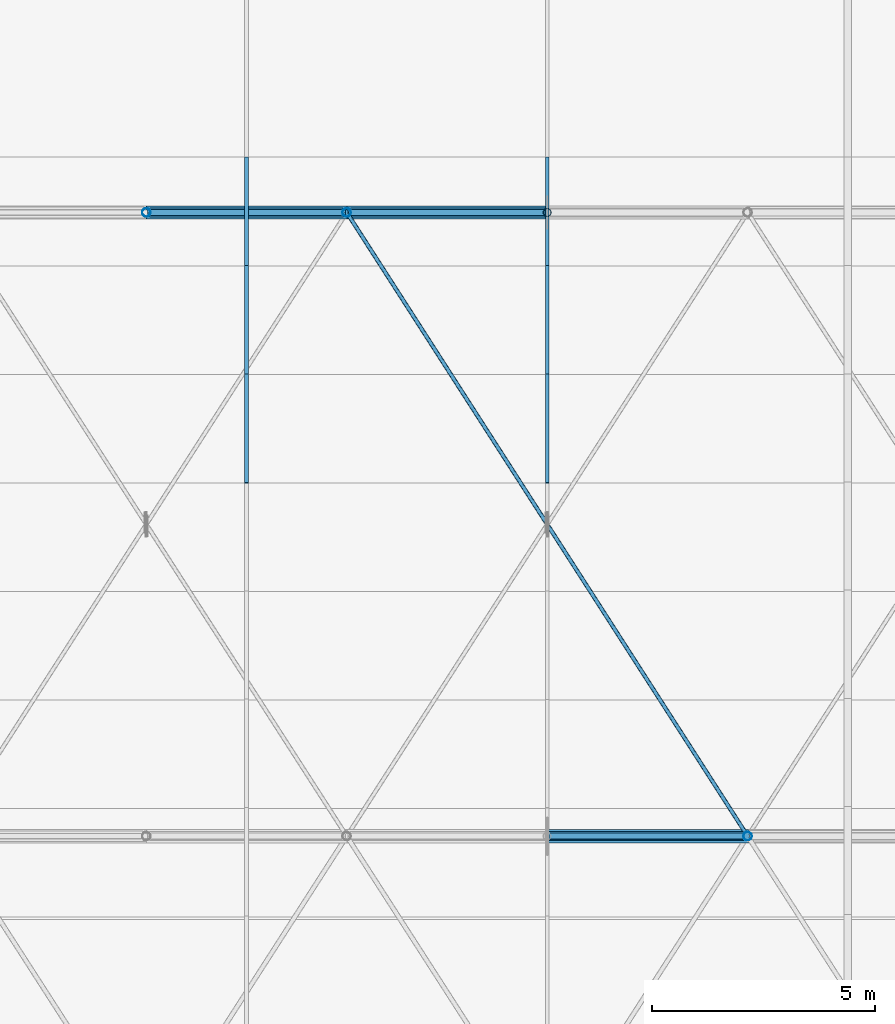
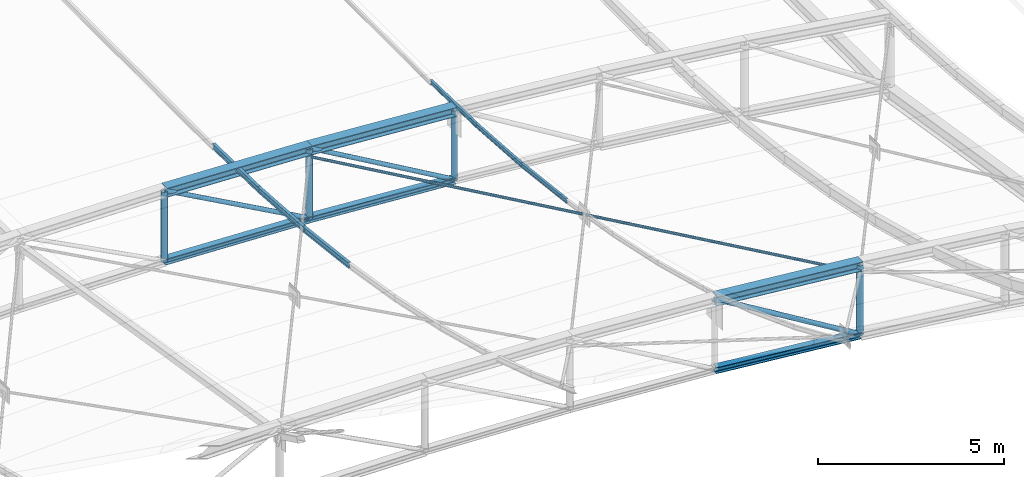
# One storey, part 156 of 262: 21 members.
"""IFC4 building model written with IfcOpenShell, lengths in metres."""

from ifc_helpers import new_model, si_unit, derived_unit, direction, frame, origin, origin_2d, place, context, subcontext, project, spatial, hollow_circle, i_section, extrude, material, material_profile, profile_set, type_object, element, save


model = new_model("IFC4")

# Units and contexts
model_context = context("Model", 3, precision=1e-05, world=origin(), true_north=direction((0.0, 1.0)))
body_context = subcontext(model_context, "Body", "Model", "MODEL_VIEW")
ifc_project = project(units=[si_unit("LENGTHUNIT", "METRE"), si_unit("AREAUNIT", "SQUARE_METRE"), si_unit("VOLUMEUNIT", "CUBIC_METRE"), si_unit("PLANEANGLEUNIT", "RADIAN"), si_unit("MASSUNIT", "GRAM", prefix="KILO"), derived_unit("THERMALTRANSMITTANCEUNIT", [(si_unit("POWERUNIT", "WATT"), 1), (si_unit("LENGTHUNIT", "METRE"), -2), (si_unit("THERMODYNAMICTEMPERATUREUNIT", "KELVIN"), -1)])], contexts=[model_context])

# Site, building, storey
site_placement = place(None, origin())
site = spatial("IfcSite", under=ifc_project, at=site_placement, CompositionType="ELEMENT")
building_placement = place(site_placement, origin())
building = spatial("IfcBuilding", under=site, at=building_placement, Name="Almenara Railside Exhibition Hall", CompositionType="ELEMENT")
storey_placement = place(building_placement, frame((0.0, 0.0, 21.699951171875)))
storey = spatial("IfcBuildingStorey", under=building, at=storey_placement, Name="RF", CompositionType="ELEMENT", Elevation=21.699951171875)

# Members
ifc_material = material(Name="Structural steel S355JR", Category="steel")
ifc_material_profile_1 = material_profile(ifc_material, i_section(OverallWidth=0.300048828125, OverallDepth=0.300048828125, WebThickness=0.010986328125, FlangeThickness=0.01904296875, FilletRadius=0.027099609375, at=origin_2d()), Name="HEB 300")
ifc_profile_set_1 = profile_set([ifc_material_profile_1], Name="Structural steel S355JR")
member_type_1 = type_object("IfcMemberType", Name="Arched Inner Top Chord HEB 300 S355JR", PredefinedType="CHORD", material=ifc_profile_set_1)
member_1_placement = place(storey_placement, frame((178.5, 48.0, -3.366455078125), z_axis=(0.995512933083, 0.0, -0.094625578275), x_axis=(0.0, 1.0, 0.0)))
element("IfcMember", 1, at=member_1_placement, inside=storey, type_object=member_type_1, Name="MEM-TC-V2-01-09", PredefinedType="CHORD", context=body_context, shape_type="SweptSolid", body=[
    extrude(i_section(OverallWidth=0.300048828125, OverallDepth=0.300048828125, WebThickness=0.010986328125, FlangeThickness=0.01904296875, FilletRadius=0.027099609375, at=origin_2d()), origin(), (0.0, 0.0, 1.0), 4.520263671875),
])
member_2_placement = place(storey_placement, frame((169.5, 62.0, -5.146240234375), z_axis=(0.99917098071, 0.0, -0.04071057978), x_axis=(0.0, 1.0, 0.0)))
element("IfcMember", 2, at=member_2_placement, inside=storey, type_object=member_type_1, Name="MEM-TC-V2-02-07", PredefinedType="CHORD", context=body_context, shape_type="SweptSolid", body=[
    extrude(i_section(OverallWidth=0.300048828125, OverallDepth=0.300048828125, WebThickness=0.010986328125, FlangeThickness=0.01904296875, FilletRadius=0.027099609375, at=origin_2d()), origin(), (0.0, 0.0, 1.0), 4.503662109375),
])
member_3_placement = place(storey_placement, frame((174.0, 62.0, -5.32958984375), z_axis=(0.997701025897, 0.0, -0.067769188608), x_axis=(0.0, 1.0, 0.0)))
element("IfcMember", 3, at=member_3_placement, inside=storey, type_object=member_type_1, Name="MEM-TC-V2-02-08", PredefinedType="CHORD", context=body_context, shape_type="SweptSolid", body=[
    extrude(i_section(OverallWidth=0.300048828125, OverallDepth=0.300048828125, WebThickness=0.010986328125, FlangeThickness=0.01904296875, FilletRadius=0.027099609375, at=origin_2d()), origin(), (0.0, 0.0, 1.0), 4.51025390625),
])
ifc_material_profile_2 = material_profile(ifc_material, i_section(OverallWidth=0.199951171875, OverallDepth=0.199951171875, WebThickness=0.009033203125, FlangeThickness=0.014892578125, FilletRadius=0.01806640625, at=origin_2d()), Name="HEB 200")
ifc_profile_set_2 = profile_set([ifc_material_profile_2], Name="Structural steel S355JR")
member_type_2 = type_object("IfcMemberType", Name="Canopy Collar Chord HEB 200 S355JR", PredefinedType="CHORD", material=ifc_profile_set_2)
member_4_placement = place(storey_placement, frame((178.5, 48.0, -5.66650390625), z_axis=(0.995512933083, 0.0, -0.094625578275), x_axis=(0.0, 1.0, 0.0)))
element("IfcMember", 4, at=member_4_placement, inside=storey, type_object=member_type_2, Name="MEM-BC-V2-01-09", PredefinedType="CHORD", context=body_context, shape_type="SweptSolid", body=[
    extrude(i_section(OverallWidth=0.199951171875, OverallDepth=0.199951171875, WebThickness=0.009033203125, FlangeThickness=0.014892578125, FilletRadius=0.01806640625, at=origin_2d()), origin(), (0.0, 0.0, 1.0), 4.520263671875),
])
member_5_placement = place(storey_placement, frame((169.5, 62.0, -7.4462890625), z_axis=(0.99917098071, 0.0, -0.04071057978), x_axis=(0.0, 1.0, 0.0)))
element("IfcMember", 5, at=member_5_placement, inside=storey, type_object=member_type_2, Name="MEM-BC-V2-02-07", PredefinedType="CHORD", context=body_context, shape_type="SweptSolid", body=[
    extrude(i_section(OverallWidth=0.199951171875, OverallDepth=0.199951171875, WebThickness=0.009033203125, FlangeThickness=0.014892578125, FilletRadius=0.01806640625, at=origin_2d()), origin(), (0.0, 0.0, 1.0), 4.503662109375),
])
member_6_placement = place(storey_placement, frame((174.0, 62.0, -7.629638671875), z_axis=(0.997704684283, 0.0, -0.067715308162), x_axis=(0.0, 1.0, 0.0)))
element("IfcMember", 6, at=member_6_placement, inside=storey, type_object=member_type_2, Name="MEM-BC-V2-02-08", PredefinedType="CHORD", context=body_context, shape_type="SweptSolid", body=[
    extrude(i_section(OverallWidth=0.199951171875, OverallDepth=0.199951171875, WebThickness=0.009033203125, FlangeThickness=0.014892578125, FilletRadius=0.01806640625, at=origin_2d()), origin(), (0.0, 0.0, 1.0), 4.51025390625),
])
ifc_material_profile_3 = material_profile(ifc_material, i_section(OverallWidth=0.072998046875, OverallDepth=0.139892578125, WebThickness=0.004638671875, FlangeThickness=0.0068359375, FilletRadius=0.007080078125, at=origin_2d()), Name="IPE 140")
ifc_profile_set_3 = profile_set([ifc_material_profile_3], Name="Structural steel S355JR")
member_type_3 = type_object("IfcMemberType", Name="Canopy Edge Purlin IPE 140 S355JR", PredefinedType="PURLIN", material=ifc_profile_set_3)
member_7_placement = place(storey_placement, frame((178.5, 55.930419921875, -4.966064453125), z_axis=(0.0, 0.993105700961, -0.117222296166), x_axis=(-1.0, 0.0, 0.0)))
element("IfcMember", 7, at=member_7_placement, inside=storey, type_object=member_type_3, Name="MEM-PR-V2-PR-IPE140-06-09", PredefinedType="PURLIN", context=body_context, shape_type="SweptSolid", body=[
    extrude(i_section(OverallWidth=0.072998046875, OverallDepth=0.139892578125, WebThickness=0.004638671875, FlangeThickness=0.0068359375, FilletRadius=0.007080078125, at=origin_2d()), origin(), (0.0, 0.0, 1.0), 2.453369140625),
])
member_8_placement = place(storey_placement, frame((178.5, 58.366943359375, -5.25244140625), z_axis=(0.0, 0.997521719737, -0.070359211571), x_axis=(-1.0, 0.0, 0.0)))
element("IfcMember", 8, at=member_8_placement, inside=storey, type_object=member_type_3, Name="MEM-PR-V2-PR-IPE140-06-10", PredefinedType="PURLIN", context=body_context, shape_type="SweptSolid", body=[
    extrude(i_section(OverallWidth=0.072998046875, OverallDepth=0.139892578125, WebThickness=0.004638671875, FlangeThickness=0.0068359375, FilletRadius=0.007080078125, at=origin_2d()), origin(), (0.0, 0.0, 1.0), 2.44287109375),
])
member_9_placement = place(storey_placement, frame((178.5, 60.8037109375, -5.423583984375), z_axis=(0.0, 0.999725289903, -0.023438104182), x_axis=(-1.0, 0.0, 0.0)))
element("IfcMember", 9, at=member_9_placement, inside=storey, type_object=member_type_3, Name="MEM-PR-V2-PR-IPE140-06-11", PredefinedType="PURLIN", context=body_context, shape_type="SweptSolid", body=[
    extrude(i_section(OverallWidth=0.072998046875, OverallDepth=0.139892578125, WebThickness=0.004638671875, FlangeThickness=0.0068359375, FilletRadius=0.007080078125, at=origin_2d()), origin(), (0.0, 0.0, 1.0), 2.4375),
])
ifc_material_profile_4 = material_profile(ifc_material, hollow_circle(Radius=0.04443359375, WallThickness=0.00390625, at=origin_2d()), Name="CHS 88.9x4")
ifc_profile_set_4 = profile_set([ifc_material_profile_4], Name="Structural steel S355JR")
member_type_4 = type_object("IfcMemberType", Name="Canopy Tie Brace CHS 88.9x4 S355JR", PredefinedType="BRACE", material=ifc_profile_set_4)
for number, where, z_axis, x_axis, name in (
    (10, (183.0, 48.0, -4.07421875), (-0.538465539227, 0.837626120667, -0.091855021862), (-0.841182310454, -0.54075162559, 0.0), "MEM-WB-V2-WB-CHS89-01-08-S1"),
    (11, (178.473876953125, 55.04052734375, -4.846435546875), (-0.538465539227, 0.837626120667, -0.091855021862), (-0.841182310454, -0.54075162559, 0.0), "MEM-WB-V2-WB-CHS89-01-08-S2"),
):
    element("IfcMember", number, at=place(storey_placement, frame(where, z_axis=z_axis, x_axis=x_axis)), inside=storey, type_object=member_type_4, Name=name, PredefinedType="BRACE", context=body_context, shape_type="SweptSolid", body=[
        extrude(hollow_circle(Radius=0.04443359375, WallThickness=0.00390625, at=origin_2d()), origin(), (0.0, 0.0, 1.0), 8.30859375),
    ])
ifc_material_profile_5 = material_profile(ifc_material, i_section(OverallWidth=0.091064453125, OverallDepth=0.179931640625, WebThickness=0.00537109375, FlangeThickness=0.008056640625, FilletRadius=0.009033203125, at=origin_2d()), Name="IPE 180")
ifc_profile_set_5 = profile_set([ifc_material_profile_5], Name="Structural steel S355JR")
member_type_5 = type_object("IfcMemberType", Name="Plenary Roof Purlin IPE 180 S355JR", PredefinedType="PURLIN", material=ifc_profile_set_5)
member_10_placement = place(storey_placement, frame((171.75, 55.930419921875, -4.7099609375), z_axis=(0.0, 0.993105700961, -0.117222296166), x_axis=(-1.0, 0.0, 0.0)))
element("IfcMember", 12, at=member_10_placement, inside=storey, type_object=member_type_5, Name="MEM-PR-V2-PR-IPE180-05-09", PredefinedType="PURLIN", context=body_context, shape_type="SweptSolid", body=[
    extrude(i_section(OverallWidth=0.091064453125, OverallDepth=0.179931640625, WebThickness=0.00537109375, FlangeThickness=0.008056640625, FilletRadius=0.009033203125, at=origin_2d()), origin(), (0.0, 0.0, 1.0), 2.453369140625),
])
member_11_placement = place(storey_placement, frame((171.75, 58.366943359375, -4.996337890625), z_axis=(0.0, 0.997528729247, -0.070259763216), x_axis=(-1.0, 0.0, 0.0)))
element("IfcMember", 13, at=member_11_placement, inside=storey, type_object=member_type_5, Name="MEM-PR-V2-PR-IPE180-05-10", PredefinedType="PURLIN", context=body_context, shape_type="SweptSolid", body=[
    extrude(i_section(OverallWidth=0.091064453125, OverallDepth=0.179931640625, WebThickness=0.00537109375, FlangeThickness=0.008056640625, FilletRadius=0.009033203125, at=origin_2d()), origin(), (0.0, 0.0, 1.0), 2.44287109375),
])
member_12_placement = place(storey_placement, frame((171.75, 60.8037109375, -5.16748046875), z_axis=(0.0, 0.999725289903, -0.023438104182), x_axis=(-1.0, 0.0, 0.0)))
element("IfcMember", 14, at=member_12_placement, inside=storey, type_object=member_type_5, Name="MEM-PR-V2-PR-IPE180-05-11", PredefinedType="PURLIN", context=body_context, shape_type="SweptSolid", body=[
    extrude(i_section(OverallWidth=0.091064453125, OverallDepth=0.179931640625, WebThickness=0.00537109375, FlangeThickness=0.008056640625, FilletRadius=0.009033203125, at=origin_2d()), origin(), (0.0, 0.0, 1.0), 2.4375),
])
ifc_material_profile_6 = material_profile(ifc_material, hollow_circle(Radius=0.06982421875, WallThickness=0.0048828125, at=origin_2d()), Name="CHS 139.7x5")
ifc_profile_set_6 = profile_set([ifc_material_profile_6], Name="Structural steel S355JR")
member_type_6 = type_object("IfcMemberType", Name="Truss Inner Diagonal CHS 139.7x5 S355JR", PredefinedType="BRACE", material=ifc_profile_set_6)
member_13_placement = place(storey_placement, frame((169.5, 62.0, -5.146240234375), z_axis=(0.875525025835, 0.0, -0.483172773589), x_axis=(0.0, 1.0, 0.0)))
element("IfcMember", 15, at=member_13_placement, inside=storey, type_object=member_type_6, Name="MEM-TD-V2-02-07", PredefinedType="BRACE", context=body_context, shape_type="SweptSolid", body=[
    extrude(hollow_circle(Radius=0.06982421875, WallThickness=0.0048828125, at=origin_2d()), origin(), (0.0, 0.0, 1.0), 5.139892578125),
])
member_14_placement = place(storey_placement, frame((174.0, 62.0, -5.32958984375), z_axis=(0.865409140876, 0.0, -0.501065882782), x_axis=(0.0, 1.0, 0.0)))
element("IfcMember", 16, at=member_14_placement, inside=storey, type_object=member_type_6, Name="MEM-TD-V2-02-08", PredefinedType="BRACE", context=body_context, shape_type="SweptSolid", body=[
    extrude(hollow_circle(Radius=0.06982421875, WallThickness=0.0048828125, at=origin_2d()), origin(), (0.0, 0.0, 1.0), 5.199951171875),
])
ifc_material_profile_7 = material_profile(ifc_material, hollow_circle(Radius=0.076171875, WallThickness=0.0048828125, at=origin_2d()), Name="CHS 152.4x5")
ifc_profile_set_7 = profile_set([ifc_material_profile_7], Name="Structural steel S355JR")
member_type_7 = type_object("IfcMemberType", Name="Truss Mid Diagonal CHS 152.4x5 S355JR", PredefinedType="BRACE", material=ifc_profile_set_7)
member_15_placement = place(storey_placement, frame((178.5, 48.0, -3.366455078125), z_axis=(0.855154829777, 0.0, -0.518372662386), x_axis=(0.0, 1.0, 0.0)))
element("IfcMember", 17, at=member_15_placement, inside=storey, type_object=member_type_7, Name="MEM-TD-V2-01-09", PredefinedType="BRACE", context=body_context, shape_type="SweptSolid", body=[
    extrude(hollow_circle(Radius=0.076171875, WallThickness=0.0048828125, at=origin_2d()), origin(), (0.0, 0.0, 1.0), 5.26220703125),
])
ifc_material_profile_8 = material_profile(ifc_material, hollow_circle(Radius=0.0888671875, WallThickness=0.006103515625, at=origin_2d()), Name="CHS 177.8x6")
ifc_profile_set_8 = profile_set([ifc_material_profile_8], Name="Structural steel S355JR")
member_type_8 = type_object("IfcMemberType", Name="Truss Quarter Vertical Strut CHS 177.8x6 S355JR", PredefinedType="BRACE", material=ifc_profile_set_8)
member_16_placement = place(storey_placement, frame((178.5, 62.0, -7.93505859375), z_axis=(0.0, 0.0, 1.0), x_axis=(1.0, 0.0, 0.0)))
element("IfcMember", 18, at=member_16_placement, inside=storey, type_object=member_type_8, Name="MEM-TV-V2-02-09", PredefinedType="BRACE", context=body_context, shape_type="SweptSolid", body=[
    extrude(hollow_circle(Radius=0.0888671875, WallThickness=0.006103515625, at=origin_2d()), origin(), (0.0, 0.0, 1.0), 2.2998046875),
])
ifc_material_profile_9 = material_profile(ifc_material, hollow_circle(Radius=0.096923828125, WallThickness=0.00634765625, at=origin_2d()), Name="CHS 193.7x6.3")
ifc_profile_set_9 = profile_set([ifc_material_profile_9], Name="Structural steel S355JR")
member_type_9 = type_object("IfcMemberType", Name="Truss Standard Vertical Strut CHS 193.7x6.3 S355JR", PredefinedType="BRACE", material=ifc_profile_set_9)
for number, where, z_axis, x_axis, name in (
    (19, (183.0, 48.0, -6.09423828125), (0.0, 0.0, 1.0), (1.0, 0.0, 0.0), "MEM-TV-V2-01-10"),
    (20, (169.5, 62.0, -7.4462890625), (0.0, 0.0, 1.0), (1.0, 0.0, 0.0), "MEM-TV-V2-02-07"),
    (21, (174.0, 62.0, -7.629638671875), (0.0, 0.0, 1.0), (1.0, 0.0, 0.0), "MEM-TV-V2-02-08"),
):
    element("IfcMember", number, at=place(storey_placement, frame(where, z_axis=z_axis, x_axis=x_axis)), inside=storey, type_object=member_type_9, Name=name, PredefinedType="BRACE", context=body_context, shape_type="SweptSolid", body=[
        extrude(hollow_circle(Radius=0.096923828125, WallThickness=0.00634765625, at=origin_2d()), origin(), (0.0, 0.0, 1.0), 2.300048828125),
    ])

save(model, "model.ifc")
